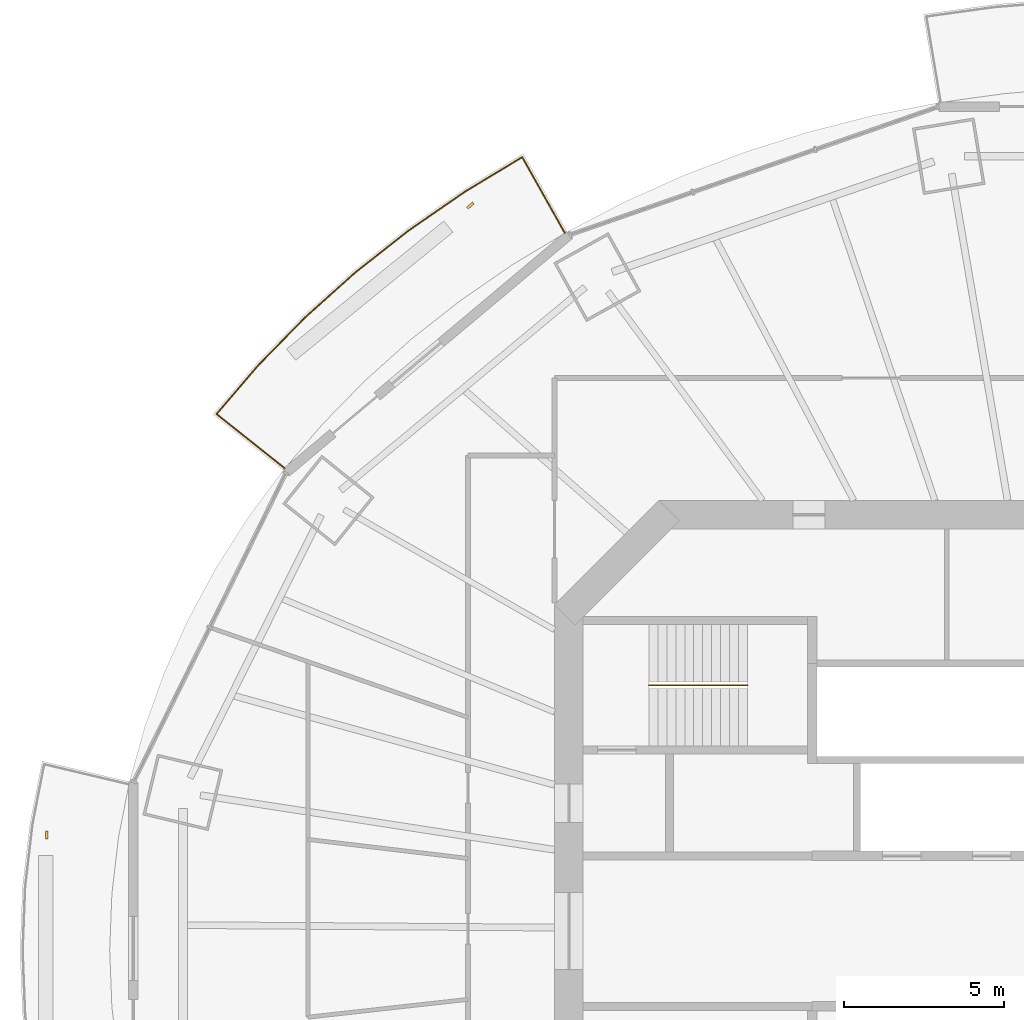
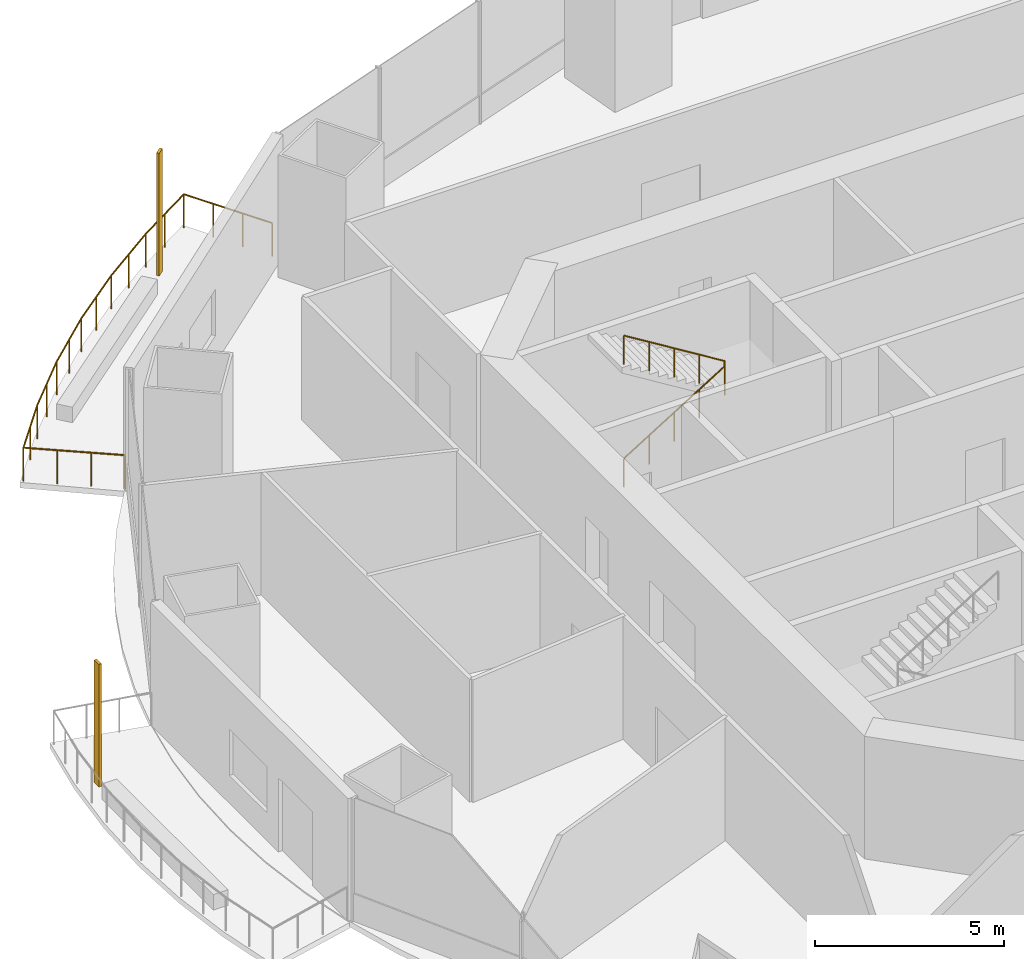
# One storey, part 17 of 20: 2 railings, 2 shading devices.
"""IFC4 building model written with IfcOpenShell, lengths in metres."""

from ifc_helpers import new_model, si_unit, direction, frame, origin, origin_2d, place, context, subcontext, project, spatial, rectangle, circle, extrude, material, material_profile, profile_set, type_object, element, save


model = new_model("IFC4")

# Units and contexts
model_context = context("Model", 3, precision=1e-05, world=origin(), true_north=direction((0.0, 1.0)))
body_context = subcontext(model_context, "Body", "Model", "MODEL_VIEW")
ifc_project = project(units=[si_unit("LENGTHUNIT", "METRE"), si_unit("AREAUNIT", "SQUARE_METRE"), si_unit("VOLUMEUNIT", "CUBIC_METRE"), si_unit("PLANEANGLEUNIT", "RADIAN"), si_unit("MASSUNIT", "GRAM", prefix="KILO")], contexts=[model_context])

# Site, building, storey
site_placement = place(None, origin())
site = spatial("IfcSite", under=ifc_project, at=site_placement, CompositionType="ELEMENT")
building_placement = place(site_placement, origin())
building = spatial("IfcBuilding", under=site, at=building_placement, Name="Marenthal Gate Tower", CompositionType="ELEMENT")
storey_placement = place(building_placement, frame((0.0, 0.0, 185.949951171875)))
storey = spatial("IfcBuildingStorey", under=building, at=storey_placement, Name="L40", CompositionType="ELEMENT", Elevation=185.949951171875)

# Railings
ifc_material_1 = material(Name="Stainless steel", Category="steel")
railing_type_1 = type_object("IfcRailingType", Name="Balcony guard 1100", PredefinedType="GUARDRAIL", material=ifc_material_1)
railing_1_placement = place(storey_placement, frame((-24.869384765625, 14.452392578125, 0.0)))
element("IfcRailing", 1, at=railing_1_placement, inside=storey, type_object=railing_type_1, Name="Balcony guard L40 bay 6", PredefinedType="GUARDRAIL", context=body_context, shape_type="SweptSolid", body=[
    extrude(circle(Radius=0.02392578125, at=origin_2d()), frame((0.0, 0.0, 1.076171875), z_axis=(-0.782654389214, 0.622282483065, -0.01471795893), x_axis=(-0.622349892908, -0.782739171626, 0.0)), (0.0, 0.0, 1.0), 2.720458984375),
    extrude(circle(Radius=0.02392578125, at=origin_2d()), frame((-2.129150390625, 1.69287109375, 1.0361328125), z_axis=(0.650205863605, 0.759758076583, 0.0), x_axis=(-0.759758076583, 0.650205863605, 0.0)), (0.0, 0.0, 1.0), 1.9921875),
    extrude(circle(Radius=0.02392578125, at=origin_2d()), frame((-0.833740234375, 3.20654296875, 1.0361328125), z_axis=(0.69888270328, 0.715236301551, 0.0), x_axis=(-0.715236301551, 0.69888270328, 0.0)), (0.0, 0.0, 1.0), 2.090087890625),
    extrude(circle(Radius=0.02392578125, at=origin_2d()), frame((0.626953125, 4.701416015625, 1.0361328125), z_axis=(0.744623035751, 0.667485231768, 0.0), x_axis=(-0.667485231768, 0.744623035751, 0.0)), (0.0, 0.0, 1.0), 2.10791015625),
    extrude(circle(Radius=0.02392578125, at=origin_2d()), frame((2.196533203125, 6.1083984375, 1.0361328125), z_axis=(0.786051281146, 0.61816129239, 0.0), x_axis=(-0.61816129239, 0.786051281146, 0.0)), (0.0, 0.0, 1.0), 2.1259765625),
    extrude(circle(Radius=0.02392578125, at=origin_2d()), frame((3.86767578125, 7.422607421875, 1.0361328125), z_axis=(0.823383437497, 0.567485431404, 0.0), x_axis=(-0.567485431404, 0.823383437497, 0.0)), (0.0, 0.0, 1.0), 2.143798828125),
    extrude(circle(Radius=0.02392578125, at=origin_2d()), frame((5.6328125, 8.63916015625, 1.0361328125), z_axis=(0.856269071779, 0.516530034668, 0.0), x_axis=(-0.516530034668, 0.856269071779, 0.0)), (0.0, 0.0, 1.0), 2.0810546875),
    extrude(circle(Radius=0.02392578125, at=origin_2d()), frame((7.414794921875, 9.714111328125, 1.0361328125), z_axis=(0.489479334585, -0.871890673908, 0.014718483842), x_axis=(0.871985129735, 0.489532362077, 0.0)), (0.0, 0.0, 1.0), 2.72021484375),
    extrude(circle(Radius=0.02099609375, at=origin_2d()), origin(), (0.0, 0.0, 1.0), 1.052001953125),
    extrude(circle(Radius=0.02099609375, at=origin_2d()), frame((-0.709716796875, 0.564208984375, -0.013427734375)), (0.0, 0.0, 1.0), 1.052001953125),
    extrude(circle(Radius=0.02099609375, at=origin_2d()), frame((-1.41943359375, 1.128662109375, -0.026611328125)), (0.0, 0.0, 1.0), 1.052001953125),
    extrude(circle(Radius=0.02099609375, at=origin_2d()), frame((-2.129150390625, 1.69287109375, -0.0400390625)), (0.0, 0.0, 1.0), 1.052001953125),
    extrude(circle(Radius=0.02099609375, at=origin_2d()), frame((-1.4814453125, 2.44970703125, -0.0400390625)), (0.0, 0.0, 1.0), 1.052001953125),
    extrude(circle(Radius=0.02099609375, at=origin_2d()), frame((-0.833740234375, 3.20654296875, -0.0400390625)), (0.0, 0.0, 1.0), 1.052001953125),
    extrude(circle(Radius=0.02099609375, at=origin_2d()), frame((-0.103515625, 3.9541015625, -0.0400390625)), (0.0, 0.0, 1.0), 1.052001953125),
    extrude(circle(Radius=0.02099609375, at=origin_2d()), frame((0.626953125, 4.701416015625, -0.0400390625)), (0.0, 0.0, 1.0), 1.052001953125),
    extrude(circle(Radius=0.02099609375, at=origin_2d()), frame((1.41162109375, 5.40478515625, -0.0400390625)), (0.0, 0.0, 1.0), 1.052001953125),
    extrude(circle(Radius=0.02099609375, at=origin_2d()), frame((2.196533203125, 6.1083984375, -0.0400390625)), (0.0, 0.0, 1.0), 1.052001953125),
    extrude(circle(Radius=0.02099609375, at=origin_2d()), frame((3.0322265625, 6.765625, -0.0400390625)), (0.0, 0.0, 1.0), 1.052001953125),
    extrude(circle(Radius=0.02099609375, at=origin_2d()), frame((3.86767578125, 7.422607421875, -0.0400390625)), (0.0, 0.0, 1.0), 1.052001953125),
    extrude(circle(Radius=0.02099609375, at=origin_2d()), frame((4.750244140625, 8.03076171875, -0.0400390625)), (0.0, 0.0, 1.0), 1.052001953125),
    extrude(circle(Radius=0.02099609375, at=origin_2d()), frame((5.6328125, 8.63916015625, -0.0400390625)), (0.0, 0.0, 1.0), 1.052001953125),
    extrude(circle(Radius=0.02099609375, at=origin_2d()), frame((6.52392578125, 9.1767578125, -0.0400390625)), (0.0, 0.0, 1.0), 1.052001953125),
    extrude(circle(Radius=0.02099609375, at=origin_2d()), frame((7.414794921875, 9.714111328125, -0.0400390625)), (0.0, 0.0, 1.0), 1.052001953125),
    extrude(circle(Radius=0.02099609375, at=origin_2d()), frame((7.858642578125, 8.923583984375, -0.026611328125)), (0.0, 0.0, 1.0), 1.052001953125),
    extrude(circle(Radius=0.02099609375, at=origin_2d()), frame((8.302490234375, 8.1328125, -0.013427734375)), (0.0, 0.0, 1.0), 1.052001953125),
    extrude(circle(Radius=0.02099609375, at=origin_2d()), frame((8.746337890625, 7.34228515625, 0.0)), (0.0, 0.0, 1.0), 1.052001953125),
])
ifc_material_2 = material(Name="Stainless steel", Category="steel")
railing_type_2 = type_object("IfcRailingType", Name="Stair handrail", PredefinedType="HANDRAIL", material=ifc_material_2)
railing_2_placement = place(storey_placement, frame((-13.5, 7.675048828125, 0.1728515625)))
element("IfcRailing", 2, at=railing_2_placement, inside=storey, type_object=railing_type_2, Name="Handrail ST1", PredefinedType="HANDRAIL", context=body_context, shape_type="SweptSolid", body=[
    extrude(circle(Radius=0.0224609375, at=origin_2d()), frame((0.0, 0.0, 0.927490234375), z_axis=(0.850835241893, 0.0, 0.525432575268), x_axis=(0.0, 1.0, 0.0)), (0.0, 0.0, 1.0), 3.6201171875),
    extrude(circle(Radius=0.0224609375, at=origin_2d()), frame((3.080078125, 0.0, 2.82958984375), z_axis=(0.0, 0.0, 1.0), x_axis=(1.0, 0.0, 0.0)), (0.0, 0.0, 1.0), 0.173095703125),
    extrude(circle(Radius=0.0224609375, at=origin_2d()), frame((3.080078125, 0.0, 3.002685546875), z_axis=(-0.850835241893, 0.0, 0.525432575268), x_axis=(0.0, -1.0, 0.0)), (0.0, 0.0, 1.0), 3.6201171875),
    extrude(circle(Radius=0.02001953125, at=origin_2d()), origin(), (0.0, 0.0, 1.0), 0.905029296875),
    extrude(circle(Radius=0.02001953125, at=origin_2d()), frame((0.77001953125, 0.0, 0.4755859375)), (0.0, 0.0, 1.0), 0.905029296875),
    extrude(circle(Radius=0.02001953125, at=origin_2d()), frame((1.5400390625, 0.0, 0.951171875)), (0.0, 0.0, 1.0), 0.905029296875),
    extrude(circle(Radius=0.02001953125, at=origin_2d()), frame((2.31005859375, 0.0, 1.426513671875)), (0.0, 0.0, 1.0), 0.905029296875),
    extrude(circle(Radius=0.02001953125, at=origin_2d()), frame((3.080078125, 0.0, 1.902099609375)), (0.0, 0.0, 1.0), 0.905029296875),
    extrude(circle(Radius=0.02001953125, at=origin_2d()), frame((3.080078125, 0.0, 2.0751953125)), (0.0, 0.0, 1.0), 0.905029296875),
    extrude(circle(Radius=0.02001953125, at=origin_2d()), frame((2.31005859375, 0.0, 2.55078125)), (0.0, 0.0, 1.0), 0.905029296875),
    extrude(circle(Radius=0.02001953125, at=origin_2d()), frame((1.5400390625, 0.0, 3.0263671875)), (0.0, 0.0, 1.0), 0.905029296875),
    extrude(circle(Radius=0.02001953125, at=origin_2d()), frame((0.77001953125, 0.0, 3.501708984375)), (0.0, 0.0, 1.0), 0.905029296875),
    extrude(circle(Radius=0.02001953125, at=origin_2d()), frame((0.0, 0.0, 3.977294921875)), (0.0, 0.0, 1.0), 0.905029296875),
])

# Shading devices
ifc_material_3 = material(Name="Terracotta", Category="masonry")
ifc_material_profile = material_profile(ifc_material_3, rectangle(XDim=0.25, YDim=0.080078125, at=origin_2d()), Name="Terracotta baguette 250x80")
ifc_profile_set = profile_set([ifc_material_profile], Name="Terracotta")
shading_device_type = type_object("IfcShadingDeviceType", Name="Terracotta BAGUETTE SCREEN 250x80", PredefinedType="USERDEFINED", material=ifc_profile_set)
for number, where, z_axis, x_axis, name in (
    (3, (-19.075439453125, 22.655029296875, -0.0400390625), (0.0, 0.0, 1.0), (-0.765779593212, -0.64310311352, 0.0), "Terracotta BAGUETTE L40 bay 6L"),
    (4, (-32.302001953125, 3.00927734375, -0.0400390625), (0.0, 0.0, 1.0), (0.0, -1.0, 0.0), "Terracotta BAGUETTE L40 bay 8L"),
):
    element("IfcShadingDevice", number, at=place(storey_placement, frame(where, z_axis=z_axis, x_axis=x_axis)), inside=storey, type_object=shading_device_type, Name=name, ObjectType="BAGUETTE SCREEN", PredefinedType="USERDEFINED", context=body_context, shape_type="SweptSolid", body=[
        extrude(rectangle(XDim=0.25, YDim=0.080078125, at=origin_2d()), origin(), (0.0, 0.0, 1.0), 3.969970703125),
    ])

save(model, "model.ifc")
